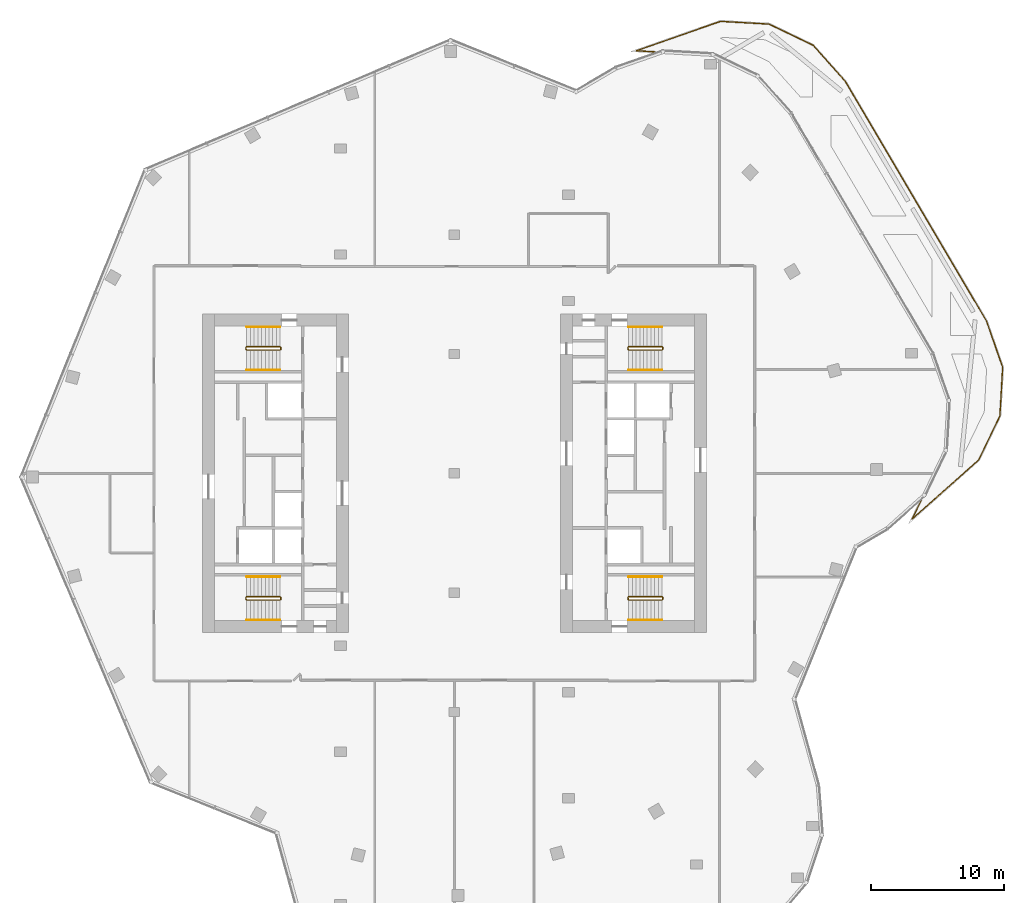
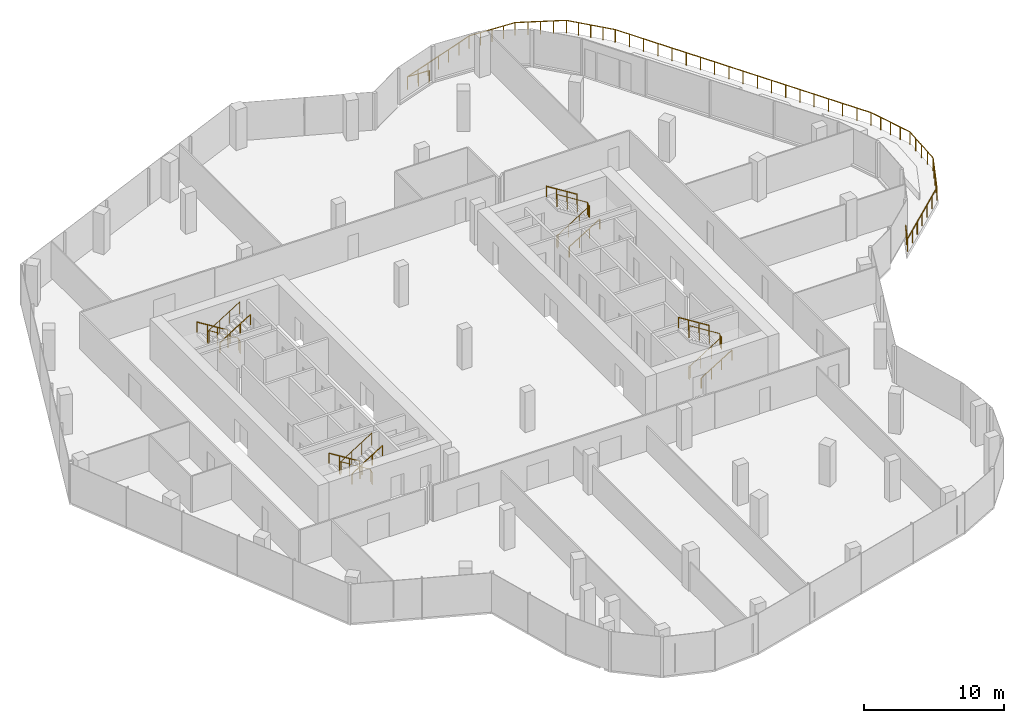
# One storey, part 16 of 17: 13 railings.
"""IFC4 building model written with IfcOpenShell, lengths in metres."""

from ifc_helpers import new_model, si_unit, direction, frame, origin, origin_2d, place, context, subcontext, project, spatial, circle, extrude, material, type_object, element, save


model = new_model("IFC4")

# Units and contexts
model_context = context("Model", 3, precision=1e-05, world=origin(), true_north=direction((0.0, 1.0)))
body_context = subcontext(model_context, "Body", "Model", "MODEL_VIEW")
ifc_project = project(units=[si_unit("LENGTHUNIT", "METRE"), si_unit("AREAUNIT", "SQUARE_METRE"), si_unit("VOLUMEUNIT", "CUBIC_METRE"), si_unit("PLANEANGLEUNIT", "RADIAN"), si_unit("MASSUNIT", "GRAM", prefix="KILO")], contexts=[model_context])

# Site, building, storey
site_placement = place(None, origin())
site = spatial("IfcSite", under=ifc_project, at=site_placement, CompositionType="ELEMENT")
building_placement = place(site_placement, origin())
building = spatial("IfcBuilding", under=site, at=building_placement, Name="Orlundy Tower", CompositionType="ELEMENT")
storey_placement = place(building_placement, frame((0.0, 0.0, 289.39990234375)))
storey = spatial("IfcBuildingStorey", under=building, at=storey_placement, Name="L77", CompositionType="ELEMENT", Elevation=289.39990234375)

# Railings
ifc_material_1 = material(Name="Steel balustrade", Category="steel")
railing_type_1 = type_object("IfcRailingType", Name="Stair Guard 1100", PredefinedType="GUARDRAIL", material=ifc_material_1)
railing_1_placement = place(storey_placement, frame((-13.090087890625, 9.5, 0.0)))
element("IfcRailing", 1, at=railing_1_placement, inside=storey, type_object=railing_type_1, Name="L77 ST-W1 stair guard 1", PredefinedType="GUARDRAIL", context=body_context, shape_type="SweptSolid", body=[
    extrude(circle(Radius=0.02392578125, at=origin_2d()), frame((0.0, 0.0, 1.076171875), z_axis=(0.0, -1.0, 0.0), x_axis=(1.0, 0.0, 0.0)), (0.0, 0.0, 1.0), 0.14990234375),
    extrude(circle(Radius=0.02392578125, at=origin_2d()), frame((0.0, -0.14990234375, 1.076171875), z_axis=(-0.18420542264, 0.739530593833, 0.647427882513), x_axis=(-0.970351222016, -0.241699205484, 0.0)), (0.0, 0.0, 1.0), 0.270263671875),
    extrude(circle(Radius=0.02392578125, at=origin_2d()), frame((-0.0498046875, 0.050048828125, 1.2509765625), z_axis=(-0.848007534815, 0.0, 0.529984170421), x_axis=(0.0, -1.0, 0.0)), (0.0, 0.0, 1.0), 2.9716796875),
    extrude(circle(Radius=0.02392578125, at=origin_2d()), frame((-2.56982421875, 0.050048828125, 2.826171875), z_axis=(-0.707106781187, -0.707106781187, 0.0), x_axis=(0.707106781187, -0.707106781187, 0.0)), (0.0, 0.0, 1.0), 0.07080078125),
    extrude(circle(Radius=0.02392578125, at=origin_2d()), frame((-2.619873046875, 0.0, 2.826171875), z_axis=(0.0, -1.0, 0.0), x_axis=(1.0, 0.0, 0.0)), (0.0, 0.0, 1.0), 0.14990234375),
    extrude(circle(Radius=0.02392578125, at=origin_2d()), frame((-2.619873046875, -0.14990234375, 2.826171875), z_axis=(0.265065253269, -0.265065253269, 0.927081885822), x_axis=(0.707106781187, 0.707106781187, 0.0)), (0.0, 0.0, 1.0), 0.188720703125),
    extrude(circle(Radius=0.02392578125, at=origin_2d()), frame((-2.56982421875, -0.199951171875, 3.0009765625), z_axis=(0.848007534815, 0.0, 0.529984170421), x_axis=(0.0, 1.0, 0.0)), (0.0, 0.0, 1.0), 2.9716796875),
    extrude(circle(Radius=0.02099609375, at=origin_2d()), origin(), (0.0, 0.0, 1.0), 1.052001953125),
    extrude(circle(Radius=0.02099609375, at=origin_2d()), frame((0.0, -0.14990234375, 0.0)), (0.0, 0.0, 1.0), 1.052001953125),
    extrude(circle(Radius=0.02099609375, at=origin_2d()), frame((-0.0498046875, 0.050048828125, 0.175048828125)), (0.0, 0.0, 1.0), 1.052001953125),
    extrude(circle(Radius=0.02099609375, at=origin_2d()), frame((-0.889892578125, 0.050048828125, 0.699951171875)), (0.0, 0.0, 1.0), 1.052001953125),
    extrude(circle(Radius=0.02099609375, at=origin_2d()), frame((-1.729736328125, 0.050048828125, 1.22509765625)), (0.0, 0.0, 1.0), 1.052001953125),
    extrude(circle(Radius=0.02099609375, at=origin_2d()), frame((-2.56982421875, 0.050048828125, 1.75)), (0.0, 0.0, 1.0), 1.052001953125),
    extrude(circle(Radius=0.02099609375, at=origin_2d()), frame((-2.619873046875, 0.0, 1.75)), (0.0, 0.0, 1.0), 1.052001953125),
    extrude(circle(Radius=0.02099609375, at=origin_2d()), frame((-2.619873046875, -0.14990234375, 1.75)), (0.0, 0.0, 1.0), 1.052001953125),
    extrude(circle(Radius=0.02099609375, at=origin_2d()), frame((-2.56982421875, -0.199951171875, 1.925048828125)), (0.0, 0.0, 1.0), 1.052001953125),
    extrude(circle(Radius=0.02099609375, at=origin_2d()), frame((-1.729736328125, -0.199951171875, 2.449951171875)), (0.0, 0.0, 1.0), 1.052001953125),
    extrude(circle(Radius=0.02099609375, at=origin_2d()), frame((-0.889892578125, -0.199951171875, 2.97509765625)), (0.0, 0.0, 1.0), 1.052001953125),
    extrude(circle(Radius=0.02099609375, at=origin_2d()), frame((-0.0498046875, -0.199951171875, 3.5)), (0.0, 0.0, 1.0), 1.052001953125),
])
railing_2_placement = place(storey_placement, frame((-13.090087890625, -9.35009765625, 0.0)))
element("IfcRailing", 2, at=railing_2_placement, inside=storey, type_object=railing_type_1, Name="L77 ST-W2 stair guard 1", PredefinedType="GUARDRAIL", context=body_context, shape_type="SweptSolid", body=[
    extrude(circle(Radius=0.02392578125, at=origin_2d()), frame((0.0, 0.0, 1.076171875), z_axis=(0.0, -1.0, 0.0), x_axis=(1.0, 0.0, 0.0)), (0.0, 0.0, 1.0), 0.14990234375),
    extrude(circle(Radius=0.02392578125, at=origin_2d()), frame((0.0, -0.14990234375, 1.076171875), z_axis=(-0.18420542264, 0.739530593833, 0.647427882513), x_axis=(-0.970351222016, -0.241699205484, 0.0)), (0.0, 0.0, 1.0), 0.270263671875),
    extrude(circle(Radius=0.02392578125, at=origin_2d()), frame((-0.0498046875, 0.050048828125, 1.2509765625), z_axis=(-0.848007534815, 0.0, 0.529984170421), x_axis=(0.0, -1.0, 0.0)), (0.0, 0.0, 1.0), 2.9716796875),
    extrude(circle(Radius=0.02392578125, at=origin_2d()), frame((-2.56982421875, 0.050048828125, 2.826171875), z_axis=(-0.707106781187, -0.707106781187, 0.0), x_axis=(0.707106781187, -0.707106781187, 0.0)), (0.0, 0.0, 1.0), 0.07080078125),
    extrude(circle(Radius=0.02392578125, at=origin_2d()), frame((-2.619873046875, 0.0, 2.826171875), z_axis=(0.0, -1.0, 0.0), x_axis=(1.0, 0.0, 0.0)), (0.0, 0.0, 1.0), 0.14990234375),
    extrude(circle(Radius=0.02392578125, at=origin_2d()), frame((-2.619873046875, -0.14990234375, 2.826171875), z_axis=(0.265065253269, -0.265065253269, 0.927081885822), x_axis=(0.707106781187, 0.707106781187, 0.0)), (0.0, 0.0, 1.0), 0.188720703125),
    extrude(circle(Radius=0.02392578125, at=origin_2d()), frame((-2.56982421875, -0.199951171875, 3.0009765625), z_axis=(0.848007534815, 0.0, 0.529984170421), x_axis=(0.0, 1.0, 0.0)), (0.0, 0.0, 1.0), 2.9716796875),
    extrude(circle(Radius=0.02099609375, at=origin_2d()), origin(), (0.0, 0.0, 1.0), 1.052001953125),
    extrude(circle(Radius=0.02099609375, at=origin_2d()), frame((0.0, -0.14990234375, 0.0)), (0.0, 0.0, 1.0), 1.052001953125),
    extrude(circle(Radius=0.02099609375, at=origin_2d()), frame((-0.0498046875, 0.050048828125, 0.175048828125)), (0.0, 0.0, 1.0), 1.052001953125),
    extrude(circle(Radius=0.02099609375, at=origin_2d()), frame((-0.889892578125, 0.050048828125, 0.699951171875)), (0.0, 0.0, 1.0), 1.052001953125),
    extrude(circle(Radius=0.02099609375, at=origin_2d()), frame((-1.729736328125, 0.050048828125, 1.22509765625)), (0.0, 0.0, 1.0), 1.052001953125),
    extrude(circle(Radius=0.02099609375, at=origin_2d()), frame((-2.56982421875, 0.050048828125, 1.75)), (0.0, 0.0, 1.0), 1.052001953125),
    extrude(circle(Radius=0.02099609375, at=origin_2d()), frame((-2.619873046875, 0.0, 1.75)), (0.0, 0.0, 1.0), 1.052001953125),
    extrude(circle(Radius=0.02099609375, at=origin_2d()), frame((-2.619873046875, -0.14990234375, 1.75)), (0.0, 0.0, 1.0), 1.052001953125),
    extrude(circle(Radius=0.02099609375, at=origin_2d()), frame((-2.56982421875, -0.199951171875, 1.925048828125)), (0.0, 0.0, 1.0), 1.052001953125),
    extrude(circle(Radius=0.02099609375, at=origin_2d()), frame((-1.729736328125, -0.199951171875, 2.449951171875)), (0.0, 0.0, 1.0), 1.052001953125),
    extrude(circle(Radius=0.02099609375, at=origin_2d()), frame((-0.889892578125, -0.199951171875, 2.97509765625)), (0.0, 0.0, 1.0), 1.052001953125),
    extrude(circle(Radius=0.02099609375, at=origin_2d()), frame((-0.0498046875, -0.199951171875, 3.5)), (0.0, 0.0, 1.0), 1.052001953125),
])
railing_3_placement = place(storey_placement, frame((13.090087890625, -9.5, 0.0)))
element("IfcRailing", 3, at=railing_3_placement, inside=storey, type_object=railing_type_1, Name="L77 ST-E1 stair guard 1", PredefinedType="GUARDRAIL", context=body_context, shape_type="SweptSolid", body=[
    extrude(circle(Radius=0.02392578125, at=origin_2d()), frame((0.0, 0.0, 1.076171875), z_axis=(0.0, 1.0, 0.0), x_axis=(-1.0, 0.0, 0.0)), (0.0, 0.0, 1.0), 0.14990234375),
    extrude(circle(Radius=0.02392578125, at=origin_2d()), frame((0.0, 0.14990234375, 1.076171875), z_axis=(0.18420542264, -0.739530593833, 0.647427882513), x_axis=(0.970351222016, 0.241699205484, 0.0)), (0.0, 0.0, 1.0), 0.270263671875),
    extrude(circle(Radius=0.02392578125, at=origin_2d()), frame((0.0498046875, -0.050048828125, 1.2509765625), z_axis=(0.848007534815, 0.0, 0.529984170421), x_axis=(0.0, 1.0, 0.0)), (0.0, 0.0, 1.0), 2.9716796875),
    extrude(circle(Radius=0.02392578125, at=origin_2d()), frame((2.56982421875, -0.050048828125, 2.826171875), z_axis=(0.707106781187, 0.707106781187, 0.0), x_axis=(-0.707106781187, 0.707106781187, 0.0)), (0.0, 0.0, 1.0), 0.07080078125),
    extrude(circle(Radius=0.02392578125, at=origin_2d()), frame((2.619873046875, 0.0, 2.826171875), z_axis=(0.0, 1.0, 0.0), x_axis=(-1.0, 0.0, 0.0)), (0.0, 0.0, 1.0), 0.14990234375),
    extrude(circle(Radius=0.02392578125, at=origin_2d()), frame((2.619873046875, 0.14990234375, 2.826171875), z_axis=(-0.265065253269, 0.265065253269, 0.927081885822), x_axis=(-0.707106781187, -0.707106781187, 0.0)), (0.0, 0.0, 1.0), 0.188720703125),
    extrude(circle(Radius=0.02392578125, at=origin_2d()), frame((2.56982421875, 0.199951171875, 3.0009765625), z_axis=(-0.848007534815, 0.0, 0.529984170421), x_axis=(0.0, -1.0, 0.0)), (0.0, 0.0, 1.0), 2.9716796875),
    extrude(circle(Radius=0.02099609375, at=origin_2d()), origin(), (0.0, 0.0, 1.0), 1.052001953125),
    extrude(circle(Radius=0.02099609375, at=origin_2d()), frame((0.0, 0.14990234375, 0.0)), (0.0, 0.0, 1.0), 1.052001953125),
    extrude(circle(Radius=0.02099609375, at=origin_2d()), frame((0.0498046875, -0.050048828125, 0.175048828125)), (0.0, 0.0, 1.0), 1.052001953125),
    extrude(circle(Radius=0.02099609375, at=origin_2d()), frame((0.889892578125, -0.050048828125, 0.699951171875)), (0.0, 0.0, 1.0), 1.052001953125),
    extrude(circle(Radius=0.02099609375, at=origin_2d()), frame((1.729736328125, -0.050048828125, 1.22509765625)), (0.0, 0.0, 1.0), 1.052001953125),
    extrude(circle(Radius=0.02099609375, at=origin_2d()), frame((2.56982421875, -0.050048828125, 1.75)), (0.0, 0.0, 1.0), 1.052001953125),
    extrude(circle(Radius=0.02099609375, at=origin_2d()), frame((2.619873046875, 0.0, 1.75)), (0.0, 0.0, 1.0), 1.052001953125),
    extrude(circle(Radius=0.02099609375, at=origin_2d()), frame((2.619873046875, 0.14990234375, 1.75)), (0.0, 0.0, 1.0), 1.052001953125),
    extrude(circle(Radius=0.02099609375, at=origin_2d()), frame((2.56982421875, 0.199951171875, 1.925048828125)), (0.0, 0.0, 1.0), 1.052001953125),
    extrude(circle(Radius=0.02099609375, at=origin_2d()), frame((1.729736328125, 0.199951171875, 2.449951171875)), (0.0, 0.0, 1.0), 1.052001953125),
    extrude(circle(Radius=0.02099609375, at=origin_2d()), frame((0.889892578125, 0.199951171875, 2.97509765625)), (0.0, 0.0, 1.0), 1.052001953125),
    extrude(circle(Radius=0.02099609375, at=origin_2d()), frame((0.0498046875, 0.199951171875, 3.5)), (0.0, 0.0, 1.0), 1.052001953125),
])
railing_4_placement = place(storey_placement, frame((13.090087890625, 9.35009765625, 0.0)))
element("IfcRailing", 4, at=railing_4_placement, inside=storey, type_object=railing_type_1, Name="L77 ST-E2 stair guard 1", PredefinedType="GUARDRAIL", context=body_context, shape_type="SweptSolid", body=[
    extrude(circle(Radius=0.02392578125, at=origin_2d()), frame((0.0, 0.0, 1.076171875), z_axis=(0.0, 1.0, 0.0), x_axis=(-1.0, 0.0, 0.0)), (0.0, 0.0, 1.0), 0.14990234375),
    extrude(circle(Radius=0.02392578125, at=origin_2d()), frame((0.0, 0.14990234375, 1.076171875), z_axis=(0.18420542264, -0.739530593833, 0.647427882513), x_axis=(0.970351222016, 0.241699205484, 0.0)), (0.0, 0.0, 1.0), 0.270263671875),
    extrude(circle(Radius=0.02392578125, at=origin_2d()), frame((0.0498046875, -0.050048828125, 1.2509765625), z_axis=(0.848007534815, 0.0, 0.529984170421), x_axis=(0.0, 1.0, 0.0)), (0.0, 0.0, 1.0), 2.9716796875),
    extrude(circle(Radius=0.02392578125, at=origin_2d()), frame((2.56982421875, -0.050048828125, 2.826171875), z_axis=(0.707106781187, 0.707106781187, 0.0), x_axis=(-0.707106781187, 0.707106781187, 0.0)), (0.0, 0.0, 1.0), 0.07080078125),
    extrude(circle(Radius=0.02392578125, at=origin_2d()), frame((2.619873046875, 0.0, 2.826171875), z_axis=(0.0, 1.0, 0.0), x_axis=(-1.0, 0.0, 0.0)), (0.0, 0.0, 1.0), 0.14990234375),
    extrude(circle(Radius=0.02392578125, at=origin_2d()), frame((2.619873046875, 0.14990234375, 2.826171875), z_axis=(-0.265065253269, 0.265065253269, 0.927081885822), x_axis=(-0.707106781187, -0.707106781187, 0.0)), (0.0, 0.0, 1.0), 0.188720703125),
    extrude(circle(Radius=0.02392578125, at=origin_2d()), frame((2.56982421875, 0.199951171875, 3.0009765625), z_axis=(-0.848007534815, 0.0, 0.529984170421), x_axis=(0.0, -1.0, 0.0)), (0.0, 0.0, 1.0), 2.9716796875),
    extrude(circle(Radius=0.02099609375, at=origin_2d()), origin(), (0.0, 0.0, 1.0), 1.052001953125),
    extrude(circle(Radius=0.02099609375, at=origin_2d()), frame((0.0, 0.14990234375, 0.0)), (0.0, 0.0, 1.0), 1.052001953125),
    extrude(circle(Radius=0.02099609375, at=origin_2d()), frame((0.0498046875, -0.050048828125, 0.175048828125)), (0.0, 0.0, 1.0), 1.052001953125),
    extrude(circle(Radius=0.02099609375, at=origin_2d()), frame((0.889892578125, -0.050048828125, 0.699951171875)), (0.0, 0.0, 1.0), 1.052001953125),
    extrude(circle(Radius=0.02099609375, at=origin_2d()), frame((1.729736328125, -0.050048828125, 1.22509765625)), (0.0, 0.0, 1.0), 1.052001953125),
    extrude(circle(Radius=0.02099609375, at=origin_2d()), frame((2.56982421875, -0.050048828125, 1.75)), (0.0, 0.0, 1.0), 1.052001953125),
    extrude(circle(Radius=0.02099609375, at=origin_2d()), frame((2.619873046875, 0.0, 1.75)), (0.0, 0.0, 1.0), 1.052001953125),
    extrude(circle(Radius=0.02099609375, at=origin_2d()), frame((2.619873046875, 0.14990234375, 1.75)), (0.0, 0.0, 1.0), 1.052001953125),
    extrude(circle(Radius=0.02099609375, at=origin_2d()), frame((2.56982421875, 0.199951171875, 1.925048828125)), (0.0, 0.0, 1.0), 1.052001953125),
    extrude(circle(Radius=0.02099609375, at=origin_2d()), frame((1.729736328125, 0.199951171875, 2.449951171875)), (0.0, 0.0, 1.0), 1.052001953125),
    extrude(circle(Radius=0.02099609375, at=origin_2d()), frame((0.889892578125, 0.199951171875, 2.97509765625)), (0.0, 0.0, 1.0), 1.052001953125),
    extrude(circle(Radius=0.02099609375, at=origin_2d()), frame((0.0498046875, 0.199951171875, 3.5)), (0.0, 0.0, 1.0), 1.052001953125),
])
ifc_material_2 = material(Name="Steel handrail", Category="steel")
railing_type_2 = type_object("IfcRailingType", Name="Stair Handrail 900", PredefinedType="HANDRAIL", material=ifc_material_2)
railing_5_placement = place(storey_placement, frame((-13.139892578125, 11.050048828125, 0.175048828125)))
element("IfcRailing", 5, at=railing_5_placement, inside=storey, type_object=railing_type_2, Name="L77 ST-W1 stair handrail 1", PredefinedType="HANDRAIL", context=body_context, shape_type="SweptSolid", body=[
    extrude(circle(Radius=0.02392578125, at=origin_2d()), frame((0.0, 0.0, 0.8759765625), z_axis=(-0.848007534815, 0.0, 0.529984170421), x_axis=(0.0, -1.0, 0.0)), (0.0, 0.0, 1.0), 2.9716796875),
    extrude(circle(Radius=0.02099609375, at=origin_2d()), origin(), (0.0, 0.0, 1.0), 0.851806640625),
    extrude(circle(Radius=0.02099609375, at=origin_2d()), frame((-0.840087890625, 0.0, 0.52490234375)), (0.0, 0.0, 1.0), 0.851806640625),
    extrude(circle(Radius=0.02099609375, at=origin_2d()), frame((-1.679931640625, 0.0, 1.050048828125)), (0.0, 0.0, 1.0), 0.851806640625),
    extrude(circle(Radius=0.02099609375, at=origin_2d()), frame((-2.52001953125, 0.0, 1.574951171875)), (0.0, 0.0, 1.0), 0.851806640625),
])
railing_6_placement = place(storey_placement, frame((-15.659912109375, 7.800048828125, 1.925048828125)))
element("IfcRailing", 6, at=railing_6_placement, inside=storey, type_object=railing_type_2, Name="L77 ST-W1 stair handrail 2", PredefinedType="HANDRAIL", context=body_context, shape_type="SweptSolid", body=[
    extrude(circle(Radius=0.02392578125, at=origin_2d()), frame((0.0, 0.0, 0.8759765625), z_axis=(0.848007534815, 0.0, 0.529984170421), x_axis=(0.0, 1.0, 0.0)), (0.0, 0.0, 1.0), 2.9716796875),
    extrude(circle(Radius=0.02099609375, at=origin_2d()), origin(), (0.0, 0.0, 1.0), 0.851806640625),
    extrude(circle(Radius=0.02099609375, at=origin_2d()), frame((0.840087890625, 0.0, 0.52490234375)), (0.0, 0.0, 1.0), 0.851806640625),
    extrude(circle(Radius=0.02099609375, at=origin_2d()), frame((1.679931640625, 0.0, 1.050048828125)), (0.0, 0.0, 1.0), 0.851806640625),
    extrude(circle(Radius=0.02099609375, at=origin_2d()), frame((2.52001953125, 0.0, 1.574951171875)), (0.0, 0.0, 1.0), 0.851806640625),
])
railing_7_placement = place(storey_placement, frame((-13.139892578125, -7.800048828125, 0.175048828125)))
element("IfcRailing", 7, at=railing_7_placement, inside=storey, type_object=railing_type_2, Name="L77 ST-W2 stair handrail 1", PredefinedType="HANDRAIL", context=body_context, shape_type="SweptSolid", body=[
    extrude(circle(Radius=0.02392578125, at=origin_2d()), frame((0.0, 0.0, 0.8759765625), z_axis=(-0.848007534815, 0.0, 0.529984170421), x_axis=(0.0, -1.0, 0.0)), (0.0, 0.0, 1.0), 2.9716796875),
    extrude(circle(Radius=0.02099609375, at=origin_2d()), origin(), (0.0, 0.0, 1.0), 0.851806640625),
    extrude(circle(Radius=0.02099609375, at=origin_2d()), frame((-0.840087890625, 0.0, 0.52490234375)), (0.0, 0.0, 1.0), 0.851806640625),
    extrude(circle(Radius=0.02099609375, at=origin_2d()), frame((-1.679931640625, 0.0, 1.050048828125)), (0.0, 0.0, 1.0), 0.851806640625),
    extrude(circle(Radius=0.02099609375, at=origin_2d()), frame((-2.52001953125, 0.0, 1.574951171875)), (0.0, 0.0, 1.0), 0.851806640625),
])
for number, where, name in (
    (8, (-15.659912109375, -11.050048828125, 1.925048828125), "L77 ST-W2 stair handrail 2"),
    (9, (13.139892578125, -11.050048828125, 0.175048828125), "L77 ST-E1 stair handrail 1"),
):
    element("IfcRailing", number, at=place(storey_placement, frame(where)), inside=storey, type_object=railing_type_2, Name=name, PredefinedType="HANDRAIL", context=body_context, shape_type="SweptSolid", body=[
        extrude(circle(Radius=0.02392578125, at=origin_2d()), frame((0.0, 0.0, 0.8759765625), z_axis=(0.848007534815, 0.0, 0.529984170421), x_axis=(0.0, 1.0, 0.0)), (0.0, 0.0, 1.0), 2.9716796875),
        extrude(circle(Radius=0.02099609375, at=origin_2d()), origin(), (0.0, 0.0, 1.0), 0.851806640625),
        extrude(circle(Radius=0.02099609375, at=origin_2d()), frame((0.840087890625, 0.0, 0.52490234375)), (0.0, 0.0, 1.0), 0.851806640625),
        extrude(circle(Radius=0.02099609375, at=origin_2d()), frame((1.679931640625, 0.0, 1.050048828125)), (0.0, 0.0, 1.0), 0.851806640625),
        extrude(circle(Radius=0.02099609375, at=origin_2d()), frame((2.52001953125, 0.0, 1.574951171875)), (0.0, 0.0, 1.0), 0.851806640625),
    ])
railing_8_placement = place(storey_placement, frame((15.659912109375, -7.800048828125, 1.925048828125)))
element("IfcRailing", 10, at=railing_8_placement, inside=storey, type_object=railing_type_2, Name="L77 ST-E1 stair handrail 2", PredefinedType="HANDRAIL", context=body_context, shape_type="SweptSolid", body=[
    extrude(circle(Radius=0.02392578125, at=origin_2d()), frame((0.0, 0.0, 0.8759765625), z_axis=(-0.848007534815, 0.0, 0.529984170421), x_axis=(0.0, -1.0, 0.0)), (0.0, 0.0, 1.0), 2.9716796875),
    extrude(circle(Radius=0.02099609375, at=origin_2d()), origin(), (0.0, 0.0, 1.0), 0.851806640625),
    extrude(circle(Radius=0.02099609375, at=origin_2d()), frame((-0.840087890625, 0.0, 0.52490234375)), (0.0, 0.0, 1.0), 0.851806640625),
    extrude(circle(Radius=0.02099609375, at=origin_2d()), frame((-1.679931640625, 0.0, 1.050048828125)), (0.0, 0.0, 1.0), 0.851806640625),
    extrude(circle(Radius=0.02099609375, at=origin_2d()), frame((-2.52001953125, 0.0, 1.574951171875)), (0.0, 0.0, 1.0), 0.851806640625),
])
railing_9_placement = place(storey_placement, frame((13.139892578125, 7.800048828125, 0.175048828125)))
element("IfcRailing", 11, at=railing_9_placement, inside=storey, type_object=railing_type_2, Name="L77 ST-E2 stair handrail 1", PredefinedType="HANDRAIL", context=body_context, shape_type="SweptSolid", body=[
    extrude(circle(Radius=0.02392578125, at=origin_2d()), frame((0.0, 0.0, 0.8759765625), z_axis=(0.848007534815, 0.0, 0.529984170421), x_axis=(0.0, 1.0, 0.0)), (0.0, 0.0, 1.0), 2.9716796875),
    extrude(circle(Radius=0.02099609375, at=origin_2d()), origin(), (0.0, 0.0, 1.0), 0.851806640625),
    extrude(circle(Radius=0.02099609375, at=origin_2d()), frame((0.840087890625, 0.0, 0.52490234375)), (0.0, 0.0, 1.0), 0.851806640625),
    extrude(circle(Radius=0.02099609375, at=origin_2d()), frame((1.679931640625, 0.0, 1.050048828125)), (0.0, 0.0, 1.0), 0.851806640625),
    extrude(circle(Radius=0.02099609375, at=origin_2d()), frame((2.52001953125, 0.0, 1.574951171875)), (0.0, 0.0, 1.0), 0.851806640625),
])
railing_10_placement = place(storey_placement, frame((15.659912109375, 11.050048828125, 1.925048828125)))
element("IfcRailing", 12, at=railing_10_placement, inside=storey, type_object=railing_type_2, Name="L77 ST-E2 stair handrail 2", PredefinedType="HANDRAIL", context=body_context, shape_type="SweptSolid", body=[
    extrude(circle(Radius=0.02392578125, at=origin_2d()), frame((0.0, 0.0, 0.8759765625), z_axis=(-0.848007534815, 0.0, 0.529984170421), x_axis=(0.0, -1.0, 0.0)), (0.0, 0.0, 1.0), 2.9716796875),
    extrude(circle(Radius=0.02099609375, at=origin_2d()), origin(), (0.0, 0.0, 1.0), 0.851806640625),
    extrude(circle(Radius=0.02099609375, at=origin_2d()), frame((-0.840087890625, 0.0, 0.52490234375)), (0.0, 0.0, 1.0), 0.851806640625),
    extrude(circle(Radius=0.02099609375, at=origin_2d()), frame((-1.679931640625, 0.0, 1.050048828125)), (0.0, 0.0, 1.0), 0.851806640625),
    extrude(circle(Radius=0.02099609375, at=origin_2d()), frame((-2.52001953125, 0.0, 1.574951171875)), (0.0, 0.0, 1.0), 0.851806640625),
])
ifc_material_3 = material(Name="Stainless steel bronze finish", Category="steel")
railing_type_3 = type_object("IfcRailingType", Name="TG1 terrace guard", PredefinedType="GUARDRAIL", material=ifc_material_3)
railing_11_placement = place(storey_placement, frame((15.42333984375, 31.769287109375, 0.0)))
element("IfcRailing", 13, at=railing_11_placement, inside=storey, type_object=railing_type_3, Name="Guard TG-L77-00", PredefinedType="GUARDRAIL", context=body_context, shape_type="SweptSolid", body=[
    extrude(circle(Radius=0.02490234375, at=origin_2d()), frame((0.0, 0.0, 1.09521484375), z_axis=(-0.998400477511, 0.056537478778, 0.0), x_axis=(-0.056537478778, -0.998400477511, 0.0)), (0.0, 0.0, 1.0), 1.7099609375),
    extrude(circle(Radius=0.02490234375, at=origin_2d()), frame((-1.707275390625, 0.0966796875, 1.09521484375), z_axis=(0.944026699278, 0.329869051369, 0.0), x_axis=(-0.329869051369, 0.944026699278, 0.0)), (0.0, 0.0, 1.0), 6.73291015625),
    extrude(circle(Radius=0.02490234375, at=origin_2d()), frame((4.648681640625, 2.317626953125, 1.09521484375), z_axis=(0.998390558702, -0.056712364559, 0.0), x_axis=(0.056712364559, 0.998390558702, 0.0)), (0.0, 0.0, 1.0), 3.667724609375),
    extrude(circle(Radius=0.02490234375, at=origin_2d()), frame((8.310546875, 2.109619140625, 1.09521484375), z_axis=(0.900907210366, -0.434011749046, 0.0), x_axis=(0.434011749046, 0.900907210366, 0.0)), (0.0, 0.0, 1.0), 3.667724609375),
    extrude(circle(Radius=0.02490234375, at=origin_2d()), frame((11.61474609375, 0.517822265625, 1.09521484375), z_axis=(0.665693792924, -0.746225015704, 0.0), x_axis=(0.746225015704, 0.665693792924, 0.0)), (0.0, 0.0, 1.0), 3.67724609375),
    extrude(circle(Radius=0.02490234375, at=origin_2d()), frame((14.062744140625, -2.226318359375, 1.09521484375), z_axis=(0.507532659705, -0.861632519891, 0.0), x_axis=(0.861632519891, 0.507532659705, 0.0)), (0.0, 0.0, 1.0), 20.979736328125),
    extrude(circle(Radius=0.02490234375, at=origin_2d()), frame((24.710693359375, -20.30322265625, 1.09521484375), z_axis=(0.329726060695, -0.944076652025, 0.0), x_axis=(0.944076652025, 0.329726060695, 0.0)), (0.0, 0.0, 1.0), 3.675537109375),
    extrude(circle(Radius=0.02490234375, at=origin_2d()), frame((25.922607421875, -23.773193359375, 1.09521484375), z_axis=(-0.056708595893, -0.99839077277, 0.0), x_axis=(0.99839077277, -0.056708595893, 0.0)), (0.0, 0.0, 1.0), 3.66796875),
    extrude(circle(Radius=0.02490234375, at=origin_2d()), frame((25.714599609375, -27.435302734375, 1.09521484375), z_axis=(-0.434091804893, -0.900868639106, 0.0), x_axis=(0.900868639106, -0.434091804893, 0.0)), (0.0, 0.0, 1.0), 3.66748046875),
    extrude(circle(Radius=0.02490234375, at=origin_2d()), frame((24.12255859375, -30.7392578125, 1.09521484375), z_axis=(-0.746348010813, -0.665555893036, 0.0), x_axis=(0.665555893036, -0.746348010813, 0.0)), (0.0, 0.0, 1.0), 6.732666015625),
    extrude(circle(Radius=0.02490234375, at=origin_2d()), frame((19.09765625, -35.22021484375, 1.09521484375), z_axis=(0.434593193693, 0.900626868351, 0.0), x_axis=(-0.900626868351, 0.434593193693, 0.0)), (0.0, 0.0, 1.0), 1.708251953125),
    extrude(circle(Radius=0.02001953125, at=origin_2d()), origin(), (0.0, 0.0, 1.0), 1.070068359375),
    extrude(circle(Radius=0.02001953125, at=origin_2d()), frame((-0.853515625, 0.04833984375, 0.0)), (0.0, 0.0, 1.0), 1.070068359375),
    extrude(circle(Radius=0.02001953125, at=origin_2d()), frame((-1.707275390625, 0.0966796875, 0.0)), (0.0, 0.0, 1.0), 1.070068359375),
    extrude(circle(Radius=0.02001953125, at=origin_2d()), frame((-0.64794921875, 0.466796875, 0.0)), (0.0, 0.0, 1.0), 1.070068359375),
    extrude(circle(Radius=0.02001953125, at=origin_2d()), frame((0.411376953125, 0.8369140625, 0.0)), (0.0, 0.0, 1.0), 1.070068359375),
    extrude(circle(Radius=0.02001953125, at=origin_2d()), frame((1.470703125, 1.20703125, 0.0)), (0.0, 0.0, 1.0), 1.070068359375),
    extrude(circle(Radius=0.02001953125, at=origin_2d()), frame((2.530029296875, 1.577392578125, 0.0)), (0.0, 0.0, 1.0), 1.070068359375),
    extrude(circle(Radius=0.02001953125, at=origin_2d()), frame((3.58935546875, 1.947509765625, 0.0)), (0.0, 0.0, 1.0), 1.070068359375),
    extrude(circle(Radius=0.02001953125, at=origin_2d()), frame((4.648681640625, 2.317626953125, 0.0)), (0.0, 0.0, 1.0), 1.070068359375),
    extrude(circle(Radius=0.02001953125, at=origin_2d()), frame((5.564208984375, 2.265625, 0.0)), (0.0, 0.0, 1.0), 1.070068359375),
    extrude(circle(Radius=0.02001953125, at=origin_2d()), frame((6.4794921875, 2.213623046875, 0.0)), (0.0, 0.0, 1.0), 1.070068359375),
    extrude(circle(Radius=0.02001953125, at=origin_2d()), frame((7.39501953125, 2.16162109375, 0.0)), (0.0, 0.0, 1.0), 1.070068359375),
    extrude(circle(Radius=0.02001953125, at=origin_2d()), frame((8.310546875, 2.109619140625, 0.0)), (0.0, 0.0, 1.0), 1.070068359375),
    extrude(circle(Radius=0.02001953125, at=origin_2d()), frame((9.13671875, 1.711669921875, 0.0)), (0.0, 0.0, 1.0), 1.070068359375),
    extrude(circle(Radius=0.02001953125, at=origin_2d()), frame((9.962646484375, 1.313720703125, 0.0)), (0.0, 0.0, 1.0), 1.070068359375),
    extrude(circle(Radius=0.02001953125, at=origin_2d()), frame((10.78857421875, 0.915771484375, 0.0)), (0.0, 0.0, 1.0), 1.070068359375),
    extrude(circle(Radius=0.02001953125, at=origin_2d()), frame((11.61474609375, 0.517822265625, 0.0)), (0.0, 0.0, 1.0), 1.070068359375),
    extrude(circle(Radius=0.02001953125, at=origin_2d()), frame((12.226806640625, -0.168212890625, 0.0)), (0.0, 0.0, 1.0), 1.070068359375),
    extrude(circle(Radius=0.02001953125, at=origin_2d()), frame((12.8388671875, -0.854248046875, 0.0)), (0.0, 0.0, 1.0), 1.070068359375),
    extrude(circle(Radius=0.02001953125, at=origin_2d()), frame((13.45068359375, -1.540283203125, 0.0)), (0.0, 0.0, 1.0), 1.070068359375),
    extrude(circle(Radius=0.02001953125, at=origin_2d()), frame((14.062744140625, -2.226318359375, 0.0)), (0.0, 0.0, 1.0), 1.070068359375),
    extrude(circle(Radius=0.02001953125, at=origin_2d()), frame((14.654296875, -3.23046875, 0.0)), (0.0, 0.0, 1.0), 1.070068359375),
    extrude(circle(Radius=0.02001953125, at=origin_2d()), frame((15.245849609375, -4.23486328125, 0.0)), (0.0, 0.0, 1.0), 1.070068359375),
    extrude(circle(Radius=0.02001953125, at=origin_2d()), frame((15.83740234375, -5.2392578125, 0.0)), (0.0, 0.0, 1.0), 1.070068359375),
    extrude(circle(Radius=0.02001953125, at=origin_2d()), frame((16.428955078125, -6.243408203125, 0.0)), (0.0, 0.0, 1.0), 1.070068359375),
    extrude(circle(Radius=0.02001953125, at=origin_2d()), frame((17.0205078125, -7.24755859375, 0.0)), (0.0, 0.0, 1.0), 1.070068359375),
    extrude(circle(Radius=0.02001953125, at=origin_2d()), frame((17.612060546875, -8.251953125, 0.0)), (0.0, 0.0, 1.0), 1.070068359375),
    extrude(circle(Radius=0.02001953125, at=origin_2d()), frame((18.20361328125, -9.25634765625, 0.0)), (0.0, 0.0, 1.0), 1.070068359375),
    extrude(circle(Radius=0.02001953125, at=origin_2d()), frame((18.795166015625, -10.260498046875, 0.0)), (0.0, 0.0, 1.0), 1.070068359375),
    extrude(circle(Radius=0.02001953125, at=origin_2d()), frame((19.38671875, -11.2646484375, 0.0)), (0.0, 0.0, 1.0), 1.070068359375),
    extrude(circle(Radius=0.02001953125, at=origin_2d()), frame((19.978271484375, -12.26904296875, 0.0)), (0.0, 0.0, 1.0), 1.070068359375),
    extrude(circle(Radius=0.02001953125, at=origin_2d()), frame((20.56982421875, -13.2734375, 0.0)), (0.0, 0.0, 1.0), 1.070068359375),
    extrude(circle(Radius=0.02001953125, at=origin_2d()), frame((21.161376953125, -14.277587890625, 0.0)), (0.0, 0.0, 1.0), 1.070068359375),
    extrude(circle(Radius=0.02001953125, at=origin_2d()), frame((21.7529296875, -15.28173828125, 0.0)), (0.0, 0.0, 1.0), 1.070068359375),
    extrude(circle(Radius=0.02001953125, at=origin_2d()), frame((22.344482421875, -16.2861328125, 0.0)), (0.0, 0.0, 1.0), 1.070068359375),
    extrude(circle(Radius=0.02001953125, at=origin_2d()), frame((22.93603515625, -17.29052734375, 0.0)), (0.0, 0.0, 1.0), 1.070068359375),
    extrude(circle(Radius=0.02001953125, at=origin_2d()), frame((23.527587890625, -18.294677734375, 0.0)), (0.0, 0.0, 1.0), 1.070068359375),
    extrude(circle(Radius=0.02001953125, at=origin_2d()), frame((24.119140625, -19.298828125, 0.0)), (0.0, 0.0, 1.0), 1.070068359375),
    extrude(circle(Radius=0.02001953125, at=origin_2d()), frame((24.710693359375, -20.30322265625, 0.0)), (0.0, 0.0, 1.0), 1.070068359375),
    extrude(circle(Radius=0.02001953125, at=origin_2d()), frame((25.013671875, -21.170654296875, 0.0)), (0.0, 0.0, 1.0), 1.070068359375),
    extrude(circle(Radius=0.02001953125, at=origin_2d()), frame((25.316650390625, -22.0380859375, 0.0)), (0.0, 0.0, 1.0), 1.070068359375),
    extrude(circle(Radius=0.02001953125, at=origin_2d()), frame((25.61962890625, -22.90576171875, 0.0)), (0.0, 0.0, 1.0), 1.070068359375),
    extrude(circle(Radius=0.02001953125, at=origin_2d()), frame((25.922607421875, -23.773193359375, 0.0)), (0.0, 0.0, 1.0), 1.070068359375),
    extrude(circle(Radius=0.02001953125, at=origin_2d()), frame((25.87060546875, -24.688720703125, 0.0)), (0.0, 0.0, 1.0), 1.070068359375),
    extrude(circle(Radius=0.02001953125, at=origin_2d()), frame((25.818603515625, -25.604248046875, 0.0)), (0.0, 0.0, 1.0), 1.070068359375),
    extrude(circle(Radius=0.02001953125, at=origin_2d()), frame((25.7666015625, -26.519775390625, 0.0)), (0.0, 0.0, 1.0), 1.070068359375),
    extrude(circle(Radius=0.02001953125, at=origin_2d()), frame((25.714599609375, -27.435302734375, 0.0)), (0.0, 0.0, 1.0), 1.070068359375),
    extrude(circle(Radius=0.02001953125, at=origin_2d()), frame((25.316650390625, -28.26123046875, 0.0)), (0.0, 0.0, 1.0), 1.070068359375),
    extrude(circle(Radius=0.02001953125, at=origin_2d()), frame((24.91845703125, -29.08740234375, 0.0)), (0.0, 0.0, 1.0), 1.070068359375),
    extrude(circle(Radius=0.02001953125, at=origin_2d()), frame((24.5205078125, -29.913330078125, 0.0)), (0.0, 0.0, 1.0), 1.070068359375),
    extrude(circle(Radius=0.02001953125, at=origin_2d()), frame((24.12255859375, -30.7392578125, 0.0)), (0.0, 0.0, 1.0), 1.070068359375),
    extrude(circle(Radius=0.02001953125, at=origin_2d()), frame((23.28515625, -31.486083984375, 0.0)), (0.0, 0.0, 1.0), 1.070068359375),
    extrude(circle(Radius=0.02001953125, at=origin_2d()), frame((22.447509765625, -32.23291015625, 0.0)), (0.0, 0.0, 1.0), 1.070068359375),
    extrude(circle(Radius=0.02001953125, at=origin_2d()), frame((21.610107421875, -32.979736328125, 0.0)), (0.0, 0.0, 1.0), 1.070068359375),
    extrude(circle(Radius=0.02001953125, at=origin_2d()), frame((20.772705078125, -33.7265625, 0.0)), (0.0, 0.0, 1.0), 1.070068359375),
    extrude(circle(Radius=0.02001953125, at=origin_2d()), frame((19.93505859375, -34.473388671875, 0.0)), (0.0, 0.0, 1.0), 1.070068359375),
    extrude(circle(Radius=0.02001953125, at=origin_2d()), frame((19.09765625, -35.22021484375, 0.0)), (0.0, 0.0, 1.0), 1.070068359375),
    extrude(circle(Radius=0.02001953125, at=origin_2d()), frame((19.46875, -34.450927734375, 0.0)), (0.0, 0.0, 1.0), 1.070068359375),
    extrude(circle(Radius=0.02001953125, at=origin_2d()), frame((19.840087890625, -33.681640625, 0.0)), (0.0, 0.0, 1.0), 1.070068359375),
])

save(model, "model.ifc")
